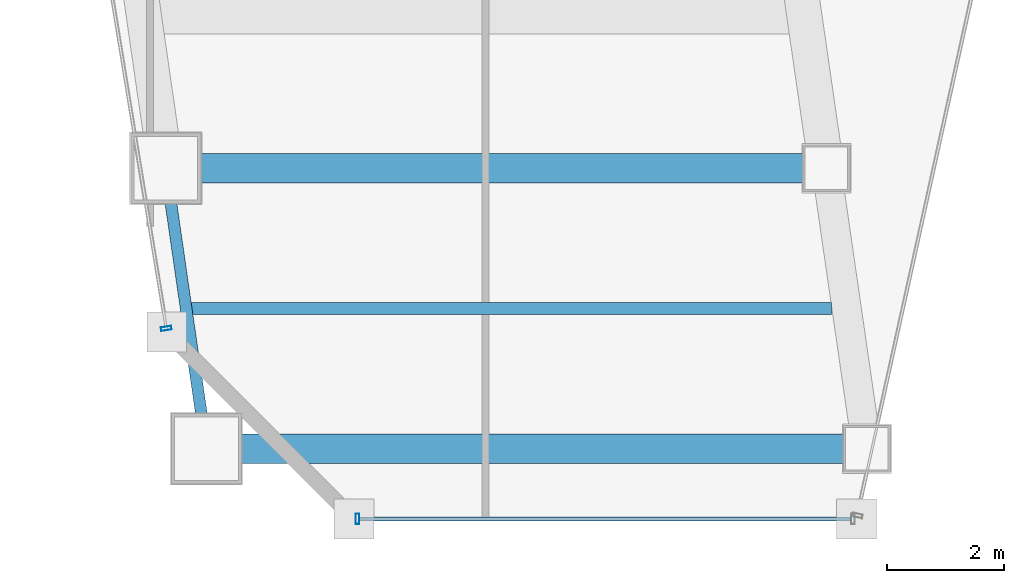
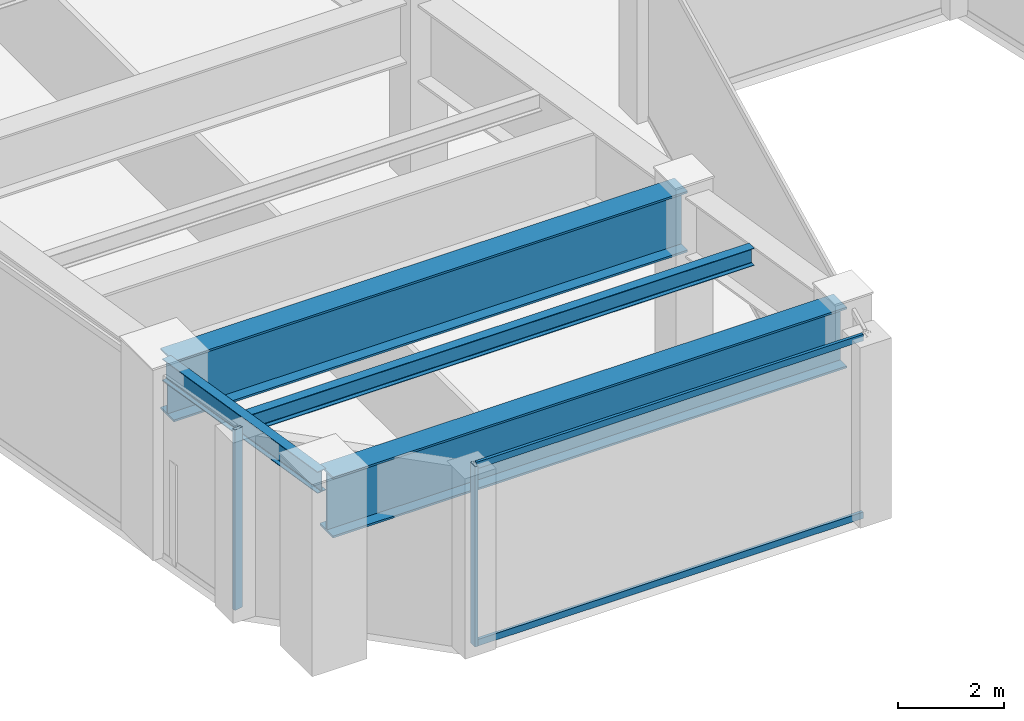
# One storey, part 4 of 40: 4 beams, 4 members, 2 elements without a shape of their own.
"""IFC4 building model written with IfcOpenShell, lengths in metres."""

from ifc_helpers import new_model, si_unit, direction, frame, origin, origin_2d, place, context, subcontext, project, spatial, hollow_rectangle, i_section, extrude, material, material_profile, profile_set, type_object, element, aggregate, save


model = new_model("IFC4")

# Units and contexts
model_context = context("Model", 3, precision=1e-05, world=origin(), true_north=direction((0.0, 1.0)))
body_context = subcontext(model_context, "Body", "Model", "MODEL_VIEW")
ifc_project = project(units=[si_unit("LENGTHUNIT", "METRE"), si_unit("AREAUNIT", "SQUARE_METRE"), si_unit("VOLUMEUNIT", "CUBIC_METRE"), si_unit("PLANEANGLEUNIT", "RADIAN"), si_unit("MASSUNIT", "GRAM", prefix="KILO")], contexts=[model_context])

# Site, building, storey
site_placement = place(None, origin())
site = spatial("IfcSite", under=ifc_project, at=site_placement, CompositionType="ELEMENT")
building_placement = place(site_placement, origin())
building = spatial("IfcBuilding", under=site, at=building_placement, Name="Saevonmaru Cultural Tower", CompositionType="ELEMENT")
storey_placement = place(building_placement, frame((0.0, 0.0, 97.199951171875)))
storey = spatial("IfcBuildingStorey", under=building, at=storey_placement, Name="L20", CompositionType="ELEMENT", Elevation=97.199951171875)

# Beams
ifc_material_1 = material(Name="Steel SM355", Category="steel")
ifc_material_profile_1 = material_profile(ifc_material_1, i_section(OverallWidth=0.199951171875, OverallDepth=0.39990234375, WebThickness=0.008056640625, FlangeThickness=0.012939453125, FilletRadius=0.01611328125, at=origin_2d()), Name="H-400x200x8x13")
ifc_profile_set_1 = profile_set([ifc_material_profile_1], Name="Steel SM355")
beam_type_1 = type_object("IfcBeamType", Name="BM-J-H400", PredefinedType="JOIST", material=ifc_profile_set_1)
beam_1_placement = place(storey_placement, frame((12.18994140625, 5.60009765625, 3.949951171875), z_axis=(1.0, 0.0, 0.0), x_axis=(0.0, 1.0, 0.0)))
element("IfcBeam", 1, at=beam_1_placement, inside=storey, type_object=beam_type_1, Name="L20 West Wing Floor Joist 1", PredefinedType="JOIST", context=body_context, shape_type="SweptSolid", body=[
    extrude(i_section(OverallWidth=0.199951171875, OverallDepth=0.39990234375, WebThickness=0.008056640625, FlangeThickness=0.012939453125, FilletRadius=0.01611328125, at=origin_2d()), origin(), (0.0, 0.0, 1.0), 10.982177734375),
])
ifc_material_profile_2 = material_profile(ifc_material_1, i_section(OverallWidth=0.199951171875, OverallDepth=0.5, WebThickness=0.010009765625, FlangeThickness=0.01611328125, FilletRadius=0.02001953125, at=origin_2d()), Name="H-500x200x10x16")
ifc_profile_set_2 = profile_set([ifc_material_profile_2], Name="Steel SM355")
beam_type_2 = type_object("IfcBeamType", Name="BM-SP-H500", PredefinedType="SPANDREL", material=ifc_profile_set_2)
beam_2_placement = place(storey_placement, frame((12.468505859375, 3.259521484375, 3.900146484375), z_axis=(-0.14313379491, 0.989703347855, 0.0), x_axis=(-0.989703347855, -0.14313379491, 0.0)))
element("IfcBeam", 2, at=beam_2_placement, inside=storey, type_object=beam_type_2, Name="L20 West Splayed Spandrel 1", PredefinedType="SPANDREL", context=body_context, shape_type="SweptSolid", body=[
    extrude(i_section(OverallWidth=0.199951171875, OverallDepth=0.5, WebThickness=0.010009765625, FlangeThickness=0.01611328125, FilletRadius=0.02001953125, at=origin_2d()), origin(), (0.0, 0.0, 1.0), 4.729736328125),
])
ifc_material_2 = material(Name="Steel HSA600 (600 MPa)", Category="steel")
ifc_material_profile_3 = material_profile(ifc_material_2, i_section(OverallWidth=0.5, OverallDepth=1.39990234375, WebThickness=0.02392578125, FlangeThickness=0.044921875, at=origin_2d()), Name="PG-1400x500x24x45")
ifc_profile_set_3 = profile_set([ifc_material_profile_3], Name="Steel HSA600 (600 MPa)")
beam_type_3 = type_object("IfcBeamType", Name="BM-TG-PG1400", PredefinedType="BEAM", material=ifc_profile_set_3)
for number, where, z_axis, x_axis, name in (
    (3, (12.537109375, 3.199951171875, 3.449951171875), (1.0, 0.0, 0.0), (0.0, 1.0, 0.0), "L20 West Wing Transverse Girder 1"),
    (4, (11.843017578125, 8.0, 3.449951171875), (1.0, 0.0, 0.0), (0.0, 1.0, 0.0), "L20 West Wing Transverse Girder 2"),
):
    element("IfcBeam", number, at=place(storey_placement, frame(where, z_axis=z_axis, x_axis=x_axis)), inside=storey, type_object=beam_type_3, Name=name, PredefinedType="BEAM", context=body_context, shape_type="SweptSolid", body=[
        extrude(i_section(OverallWidth=0.5, OverallDepth=1.39990234375, WebThickness=0.02392578125, FlangeThickness=0.044921875, at=origin_2d()), origin(), (0.0, 0.0, 1.0), 11.179931640625),
    ])

# Curtain wall, member
ifc_material_3 = material(Name="Satin Bronze Anodised Aluminium", Category="aluminium")
curtain_wall_type = type_object("IfcCurtainWallType", Name="CW-TYP-A", PredefinedType="NOTDEFINED", material=ifc_material_3)
curtain_wall_1_placement = place(storey_placement, origin())
curtain_wall_1 = element("IfcCurtainWall", 5, at=curtain_wall_1_placement, inside=storey, type_object=curtain_wall_type, Name="L20 Unitised Curtain Wall E2", PredefinedType="NOTDEFINED")
ifc_material_profile_4 = material_profile(ifc_material_3, hollow_rectangle(XDim=0.06494140625, YDim=0.179931640625, WallThickness=0.00390625, at=origin_2d()), Name="ALU-MULL-180x65x4")
ifc_profile_set_4 = profile_set([ifc_material_profile_4], Name="Satin Bronze Anodised Aluminium")
member_type_1 = type_object("IfcMemberType", Name="ML-CW-180x65", PredefinedType="MULLION", material=ifc_profile_set_4)
member_1_placement = place(storey_placement, frame((15.06005859375, 2.0, 0.0), z_axis=(0.0, 0.0, 1.0), x_axis=(1.0, 0.0, 0.0)))
member_1 = element("IfcMember", 6, at=member_1_placement, type_object=member_type_1, Name="CW-TW-L20-E2 mullion 1", PredefinedType="MULLION", context=body_context, shape_type="SweptSolid", body=[
    extrude(hollow_rectangle(XDim=0.06494140625, YDim=0.179931640625, WallThickness=0.00390625, at=origin_2d()), origin(), (0.0, 0.0, 1.0), 4.150146484375),
])

curtain_wall_2_placement = place(storey_placement, origin())
curtain_wall_2 = element("IfcCurtainWall", 7, at=curtain_wall_2_placement, inside=storey, type_object=curtain_wall_type, Name="L20 Unitised Curtain Wall E12", PredefinedType="NOTDEFINED")
member_2_placement = place(storey_placement, frame((11.790283203125, 5.25927734375, 0.0), z_axis=(0.0, 0.0, 1.0), x_axis=(0.161708868641, -0.986838508472, 0.0)))
member_2 = element("IfcMember", 8, at=member_2_placement, type_object=member_type_1, Name="CW-TW-L20-E12 mullion 5", PredefinedType="MULLION", context=body_context, shape_type="SweptSolid", body=[
    extrude(hollow_rectangle(XDim=0.06494140625, YDim=0.179931640625, WallThickness=0.00390625, at=origin_2d()), origin(), (0.0, 0.0, 1.0), 4.150146484375),
])
aggregate(curtain_wall_2, [member_2])

# Member
ifc_material_profile_5 = material_profile(ifc_material_3, hollow_rectangle(XDim=0.06494140625, YDim=0.14990234375, WallThickness=0.00390625, at=origin_2d()), Name="ALU-TRAN-150x65x4")
ifc_profile_set_5 = profile_set([ifc_material_profile_5], Name="Satin Bronze Anodised Aluminium")
member_type_2 = type_object("IfcMemberType", Name="TR-CW-150x65", PredefinedType="USERDEFINED", material=ifc_profile_set_5)
member_3_placement = place(storey_placement, frame((15.092529296875, 2.0, 0.032470703125), z_axis=(1.0, 0.0, 0.0), x_axis=(0.0, 1.0, 0.0)))
member_3 = element("IfcMember", 9, at=member_3_placement, type_object=member_type_2, Name="CW-TW-L20-E2 transom 1.1", ObjectType="TRANSOM", PredefinedType="USERDEFINED", context=body_context, shape_type="SweptSolid", body=[
    extrude(hollow_rectangle(XDim=0.06494140625, YDim=0.14990234375, WallThickness=0.00390625, at=origin_2d()), origin(), (0.0, 0.0, 1.0), 8.4150390625),
])

member_4_placement = place(storey_placement, frame((15.092529296875, 2.0, 4.117431640625), z_axis=(1.0, 0.0, 0.0), x_axis=(0.0, 1.0, 0.0)))
member_4 = element("IfcMember", 10, at=member_4_placement, type_object=member_type_2, Name="CW-TW-L20-E2 transom 1.2", ObjectType="TRANSOM", PredefinedType="USERDEFINED", context=body_context, shape_type="SweptSolid", body=[
    extrude(hollow_rectangle(XDim=0.06494140625, YDim=0.14990234375, WallThickness=0.00390625, at=origin_2d()), origin(), (0.0, 0.0, 1.0), 8.4150390625),
])

aggregate(curtain_wall_1, [member_1, member_3, member_4])

save(model, "model.ifc")
